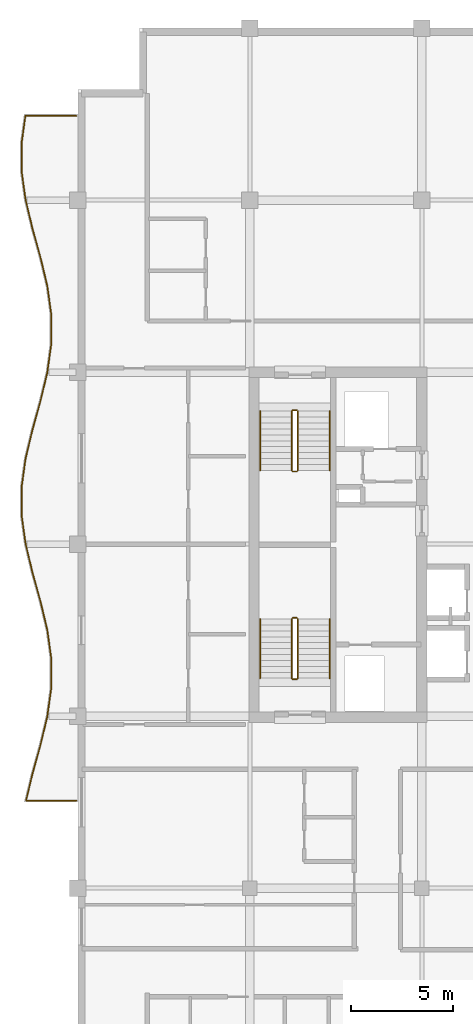
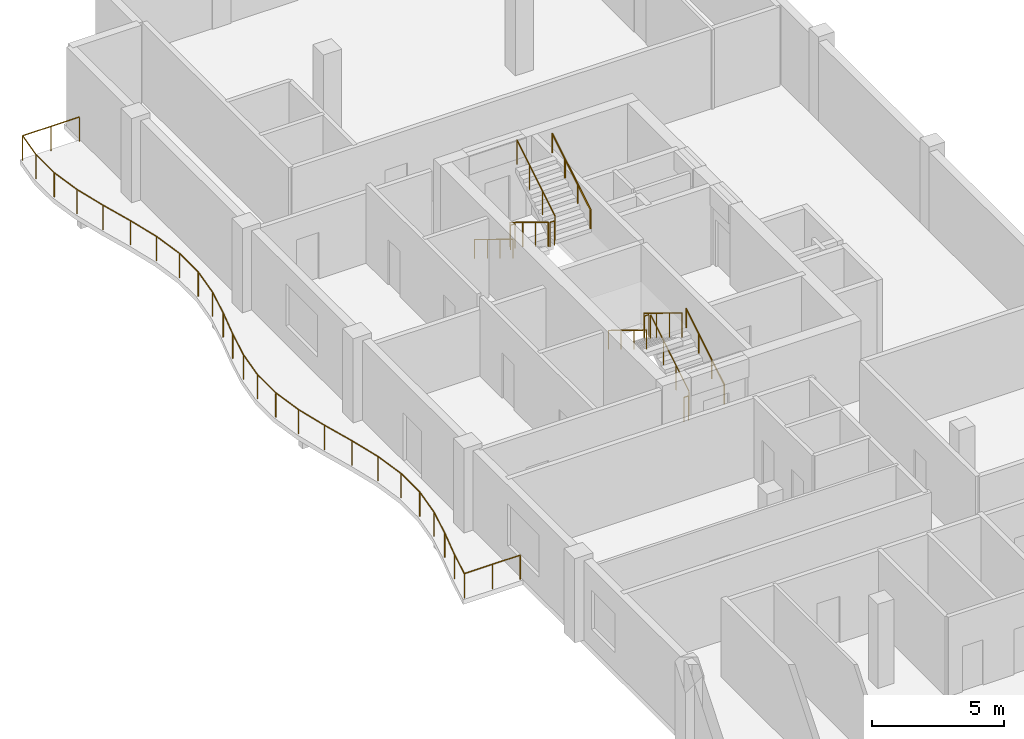
# One storey, part 11 of 11: 13 railings.
"""IFC4 building model written with IfcOpenShell, lengths in metres."""

from ifc_helpers import new_model, si_unit, direction, frame, origin, origin_2d, place, context, subcontext, project, spatial, circle, extrude, material, type_object, element, save


model = new_model("IFC4")

# Units and contexts
model_context = context("Model", 3, precision=1e-05, world=origin(), true_north=direction((0.0, 1.0)))
body_context = subcontext(model_context, "Body", "Model", "MODEL_VIEW")
ifc_project = project(units=[si_unit("LENGTHUNIT", "METRE"), si_unit("AREAUNIT", "SQUARE_METRE"), si_unit("VOLUMEUNIT", "CUBIC_METRE"), si_unit("PLANEANGLEUNIT", "RADIAN"), si_unit("MASSUNIT", "GRAM", prefix="KILO")], contexts=[model_context])

# Site, building, storey
site_placement = place(None, origin())
site = spatial("IfcSite", under=ifc_project, at=site_placement, CompositionType="ELEMENT")
building_placement = place(site_placement, origin())
building = spatial("IfcBuilding", under=site, at=building_placement, Name="Koriwani Terraces Tower", CompositionType="ELEMENT")
storey_placement = place(building_placement, frame((0.0, 0.0, 320.300048828125)))
storey = spatial("IfcBuildingStorey", under=building, at=storey_placement, Name="L79", CompositionType="ELEMENT", Elevation=320.300048828125)

# Railings
ifc_material = material(Name="Steel ASTM A572 Grade 50", Category="steel")
railing_type_1 = type_object("IfcRailingType", Name="GUARD_BALUSTRADE_1150", PredefinedType="BALUSTRADE", material=ifc_material)
railing_1_placement = place(storey_placement, frame((8.320068359375, 37.8798828125, 0.0)))
element("IfcRailing", 1, at=railing_1_placement, inside=storey, type_object=railing_type_1, Name="L79 Balcony Perimeter Safety Balustrade (W)", PredefinedType="BALUSTRADE", context=body_context, shape_type="SweptSolid", body=[
    extrude(circle(Radius=0.02392578125, at=origin_2d()), frame((0.0, 0.0, 1.1259765625), z_axis=(-1.0, 0.0, 0.0), x_axis=(0.0, -1.0, 0.0)), (0.0, 0.0, 1.0), 2.448974609375),
    extrude(circle(Radius=0.02392578125, at=origin_2d()), frame((-2.448974609375, 0.0, 1.1259765625), z_axis=(0.233545604015, 0.9723458494, 0.0), x_axis=(-0.9723458494, 0.233545604015, 0.0)), (0.0, 0.0, 1.0), 1.3369140625),
    extrude(circle(Radius=0.02392578125, at=origin_2d()), frame((-2.13671875, 1.300048828125, 1.1259765625), z_axis=(0.26716718525, 0.963650193341, 0.0), x_axis=(-0.963650193341, 0.26716718525, 0.0)), (0.0, 0.0, 1.0), 1.452880859375),
    extrude(circle(Radius=0.02392578125, at=origin_2d()), frame((-1.74853515625, 2.7001953125, 1.1259765625), z_axis=(0.233340999769, 0.972394970075, 0.0), x_axis=(-0.972394970075, 0.233340999769, 0.0)), (0.0, 0.0, 1.0), 1.44482421875),
    extrude(circle(Radius=0.02392578125, at=origin_2d()), frame((-1.411376953125, 4.105224609375, 1.1259765625), z_axis=(0.137264429555, 0.990534439774, 0.0), x_axis=(-0.990534439774, 0.137264429555, 0.0)), (0.0, 0.0, 1.0), 1.4228515625),
    extrude(circle(Radius=0.02392578125, at=origin_2d()), frame((-1.216064453125, 5.5146484375, 1.1259765625), z_axis=(0.0, 1.0, 0.0), x_axis=(-1.0, 0.0, 0.0)), (0.0, 0.0, 1.0), 1.410888671875),
    extrude(circle(Radius=0.02392578125, at=origin_2d()), frame((-1.216064453125, 6.925537109375, 1.1259765625), z_axis=(-0.137264429555, 0.990534439774, 0.0), x_axis=(-0.990534439774, -0.137264429555, 0.0)), (0.0, 0.0, 1.0), 1.4228515625),
    extrude(circle(Radius=0.02392578125, at=origin_2d()), frame((-1.411376953125, 8.3349609375, 1.1259765625), z_axis=(-0.233302667738, 0.972404167631, 0.0), x_axis=(-0.972404167631, -0.233302667738, 0.0)), (0.0, 0.0, 1.0), 1.445068359375),
    extrude(circle(Radius=0.02392578125, at=origin_2d()), frame((-1.74853515625, 9.740234375, 1.1259765625), z_axis=(-0.267210452187, 0.963638196753, 0.0), x_axis=(-0.963638196753, -0.267210452187, 0.0)), (0.0, 0.0, 1.0), 1.45263671875),
    extrude(circle(Radius=0.02392578125, at=origin_2d()), frame((-2.13671875, 11.14013671875, 1.1259765625), z_axis=(-0.233514568862, 0.972353303141, 0.0), x_axis=(-0.972353303141, -0.233514568862, 0.0)), (0.0, 0.0, 1.0), 1.434326171875),
    extrude(circle(Radius=0.02392578125, at=origin_2d()), frame((-2.4716796875, 12.534912109375, 1.1259765625), z_axis=(-0.137378806302, 0.990518583157, 0.0), x_axis=(-0.990518583157, -0.137378806302, 0.0)), (0.0, 0.0, 1.0), 1.404052734375),
    extrude(circle(Radius=0.02392578125, at=origin_2d()), frame((-2.66455078125, 13.925537109375, 1.1259765625), z_axis=(0.0, 1.0, 0.0), x_axis=(-1.0, 0.0, 0.0)), (0.0, 0.0, 1.0), 1.38916015625),
    extrude(circle(Radius=0.02392578125, at=origin_2d()), frame((-2.66455078125, 15.314697265625, 1.1259765625), z_axis=(0.137378806302, 0.990518583157, 0.0), x_axis=(-0.990518583157, 0.137378806302, 0.0)), (0.0, 0.0, 1.0), 1.404052734375),
    extrude(circle(Radius=0.02392578125, at=origin_2d()), frame((-2.4716796875, 16.705322265625, 1.1259765625), z_axis=(0.233514568862, 0.972353303141, 0.0), x_axis=(-0.972353303141, 0.233514568862, 0.0)), (0.0, 0.0, 1.0), 1.434326171875),
    extrude(circle(Radius=0.02392578125, at=origin_2d()), frame((-2.13671875, 18.10009765625, 1.1259765625), z_axis=(0.267210452187, 0.963638196753, 0.0), x_axis=(-0.963638196753, 0.267210452187, 0.0)), (0.0, 0.0, 1.0), 1.45263671875),
    extrude(circle(Radius=0.02392578125, at=origin_2d()), frame((-1.74853515625, 19.5, 1.1259765625), z_axis=(0.233302667738, 0.972404167631, 0.0), x_axis=(-0.972404167631, 0.233302667738, 0.0)), (0.0, 0.0, 1.0), 1.445068359375),
    extrude(circle(Radius=0.02392578125, at=origin_2d()), frame((-1.411376953125, 20.9052734375, 1.1259765625), z_axis=(0.137264429555, 0.990534439774, 0.0), x_axis=(-0.990534439774, 0.137264429555, 0.0)), (0.0, 0.0, 1.0), 1.4228515625),
    extrude(circle(Radius=0.02392578125, at=origin_2d()), frame((-1.216064453125, 22.314697265625, 1.1259765625), z_axis=(0.0, 1.0, 0.0), x_axis=(-1.0, 0.0, 0.0)), (0.0, 0.0, 1.0), 1.410888671875),
    extrude(circle(Radius=0.02392578125, at=origin_2d()), frame((-1.216064453125, 23.7255859375, 1.1259765625), z_axis=(-0.137264429555, 0.990534439774, 0.0), x_axis=(-0.990534439774, -0.137264429555, 0.0)), (0.0, 0.0, 1.0), 1.4228515625),
    extrude(circle(Radius=0.02392578125, at=origin_2d()), frame((-1.411376953125, 25.135009765625, 1.1259765625), z_axis=(-0.233340999769, 0.972394970075, 0.0), x_axis=(-0.972394970075, -0.233340999769, 0.0)), (0.0, 0.0, 1.0), 1.44482421875),
    extrude(circle(Radius=0.02392578125, at=origin_2d()), frame((-1.74853515625, 26.5400390625, 1.1259765625), z_axis=(-0.26716718525, 0.963650193341, 0.0), x_axis=(-0.963650193341, -0.26716718525, 0.0)), (0.0, 0.0, 1.0), 1.452880859375),
    extrude(circle(Radius=0.02392578125, at=origin_2d()), frame((-2.13671875, 27.940185546875, 1.1259765625), z_axis=(-0.233514568862, 0.972353303141, 0.0), x_axis=(-0.972353303141, -0.233514568862, 0.0)), (0.0, 0.0, 1.0), 1.434326171875),
    extrude(circle(Radius=0.02392578125, at=origin_2d()), frame((-2.4716796875, 29.3349609375, 1.1259765625), z_axis=(-0.137378806302, 0.990518583157, 0.0), x_axis=(-0.990518583157, -0.137378806302, 0.0)), (0.0, 0.0, 1.0), 1.404052734375),
    extrude(circle(Radius=0.02392578125, at=origin_2d()), frame((-2.66455078125, 30.7255859375, 1.1259765625), z_axis=(0.0, 1.0, 0.0), x_axis=(-1.0, 0.0, 0.0)), (0.0, 0.0, 1.0), 1.388916015625),
    extrude(circle(Radius=0.02392578125, at=origin_2d()), frame((-2.66455078125, 32.114501953125, 1.1259765625), z_axis=(0.137359576657, 0.990521249999, 0.0), x_axis=(-0.990521249999, 0.137359576657, 0.0)), (0.0, 0.0, 1.0), 1.33837890625),
    extrude(circle(Radius=0.02392578125, at=origin_2d()), frame((-2.480712890625, 33.440185546875, 1.1259765625), z_axis=(1.0, 0.0, 0.0), x_axis=(0.0, 1.0, 0.0)), (0.0, 0.0, 1.0), 2.480712890625),
    extrude(circle(Radius=0.02099609375, at=origin_2d()), origin(), (0.0, 0.0, 1.0), 1.101806640625),
    extrude(circle(Radius=0.02099609375, at=origin_2d()), frame((-1.224609375, 0.0, 0.0)), (0.0, 0.0, 1.0), 1.101806640625),
    extrude(circle(Radius=0.02099609375, at=origin_2d()), frame((-2.448974609375, 0.0, 0.0)), (0.0, 0.0, 1.0), 1.101806640625),
    extrude(circle(Radius=0.02099609375, at=origin_2d()), frame((-2.13671875, 1.300048828125, 0.0)), (0.0, 0.0, 1.0), 1.101806640625),
    extrude(circle(Radius=0.02099609375, at=origin_2d()), frame((-1.74853515625, 2.7001953125, 0.0)), (0.0, 0.0, 1.0), 1.101806640625),
    extrude(circle(Radius=0.02099609375, at=origin_2d()), frame((-1.411376953125, 4.105224609375, 0.0)), (0.0, 0.0, 1.0), 1.101806640625),
    extrude(circle(Radius=0.02099609375, at=origin_2d()), frame((-1.216064453125, 5.5146484375, 0.0)), (0.0, 0.0, 1.0), 1.101806640625),
    extrude(circle(Radius=0.02099609375, at=origin_2d()), frame((-1.216064453125, 6.925537109375, 0.0)), (0.0, 0.0, 1.0), 1.101806640625),
    extrude(circle(Radius=0.02099609375, at=origin_2d()), frame((-1.411376953125, 8.3349609375, 0.0)), (0.0, 0.0, 1.0), 1.101806640625),
    extrude(circle(Radius=0.02099609375, at=origin_2d()), frame((-1.74853515625, 9.740234375, 0.0)), (0.0, 0.0, 1.0), 1.101806640625),
    extrude(circle(Radius=0.02099609375, at=origin_2d()), frame((-2.13671875, 11.14013671875, 0.0)), (0.0, 0.0, 1.0), 1.101806640625),
    extrude(circle(Radius=0.02099609375, at=origin_2d()), frame((-2.4716796875, 12.534912109375, 0.0)), (0.0, 0.0, 1.0), 1.101806640625),
    extrude(circle(Radius=0.02099609375, at=origin_2d()), frame((-2.66455078125, 13.925537109375, 0.0)), (0.0, 0.0, 1.0), 1.101806640625),
    extrude(circle(Radius=0.02099609375, at=origin_2d()), frame((-2.66455078125, 15.314697265625, 0.0)), (0.0, 0.0, 1.0), 1.101806640625),
    extrude(circle(Radius=0.02099609375, at=origin_2d()), frame((-2.4716796875, 16.705322265625, 0.0)), (0.0, 0.0, 1.0), 1.101806640625),
    extrude(circle(Radius=0.02099609375, at=origin_2d()), frame((-2.13671875, 18.10009765625, 0.0)), (0.0, 0.0, 1.0), 1.101806640625),
    extrude(circle(Radius=0.02099609375, at=origin_2d()), frame((-1.74853515625, 19.5, 0.0)), (0.0, 0.0, 1.0), 1.101806640625),
    extrude(circle(Radius=0.02099609375, at=origin_2d()), frame((-1.411376953125, 20.9052734375, 0.0)), (0.0, 0.0, 1.0), 1.101806640625),
    extrude(circle(Radius=0.02099609375, at=origin_2d()), frame((-1.216064453125, 22.314697265625, 0.0)), (0.0, 0.0, 1.0), 1.101806640625),
    extrude(circle(Radius=0.02099609375, at=origin_2d()), frame((-1.216064453125, 23.7255859375, 0.0)), (0.0, 0.0, 1.0), 1.101806640625),
    extrude(circle(Radius=0.02099609375, at=origin_2d()), frame((-1.411376953125, 25.135009765625, 0.0)), (0.0, 0.0, 1.0), 1.101806640625),
    extrude(circle(Radius=0.02099609375, at=origin_2d()), frame((-1.74853515625, 26.5400390625, 0.0)), (0.0, 0.0, 1.0), 1.101806640625),
    extrude(circle(Radius=0.02099609375, at=origin_2d()), frame((-2.13671875, 27.940185546875, 0.0)), (0.0, 0.0, 1.0), 1.101806640625),
    extrude(circle(Radius=0.02099609375, at=origin_2d()), frame((-2.4716796875, 29.3349609375, 0.0)), (0.0, 0.0, 1.0), 1.101806640625),
    extrude(circle(Radius=0.02099609375, at=origin_2d()), frame((-2.66455078125, 30.7255859375, 0.0)), (0.0, 0.0, 1.0), 1.101806640625),
    extrude(circle(Radius=0.02099609375, at=origin_2d()), frame((-2.66455078125, 32.114501953125, 0.0)), (0.0, 0.0, 1.0), 1.101806640625),
    extrude(circle(Radius=0.02099609375, at=origin_2d()), frame((-2.480712890625, 33.440185546875, 0.0)), (0.0, 0.0, 1.0), 1.101806640625),
    extrude(circle(Radius=0.02099609375, at=origin_2d()), frame((-1.240234375, 33.440185546875, 0.0)), (0.0, 0.0, 1.0), 1.101806640625),
    extrude(circle(Radius=0.02099609375, at=origin_2d()), frame((0.0, 33.440185546875, 0.0)), (0.0, 0.0, 1.0), 1.101806640625),
])
railing_type_2 = type_object("IfcRailingType", Name="GUARD_STAIR_WELL_1120", PredefinedType="GUARDRAIL", material=ifc_material)
railing_2_placement = place(storey_placement, frame((19.14990234375, 43.85009765625, 0.17724609375)))
element("IfcRailing", 2, at=railing_2_placement, inside=storey, type_object=railing_type_2, Name="L79 ST-W1 stair guard 1", PredefinedType="GUARDRAIL", context=body_context, shape_type="SweptSolid", body=[
    extrude(circle(Radius=0.02392578125, at=origin_2d()), frame((0.0, 0.0, 1.1259765625), z_axis=(0.0, 0.853210801645, 0.521566225858), x_axis=(-1.0, 0.0, 0.0)), (0.0, 0.0, 1.0), 3.39892578125),
    extrude(circle(Radius=0.02099609375, at=origin_2d()), origin(), (0.0, 0.0, 1.0), 1.101806640625),
    extrude(circle(Radius=0.02099609375, at=origin_2d()), frame((0.0, 0.966552734375, 0.5908203125)), (0.0, 0.0, 1.0), 1.101806640625),
    extrude(circle(Radius=0.02099609375, at=origin_2d()), frame((0.0, 1.933349609375, 1.181884765625)), (0.0, 0.0, 1.0), 1.101806640625),
    extrude(circle(Radius=0.02099609375, at=origin_2d()), frame((0.0, 2.89990234375, 1.772705078125)), (0.0, 0.0, 1.0), 1.101806640625),
])
railing_3_placement = place(storey_placement, frame((19.10009765625, 46.800048828125, 1.949951171875)))
element("IfcRailing", 3, at=railing_3_placement, inside=storey, type_object=railing_type_2, Name="L79 ST-W1 stair guard 2", PredefinedType="GUARDRAIL", context=body_context, shape_type="SweptSolid", body=[
    extrude(circle(Radius=0.02392578125, at=origin_2d()), frame((0.0, 0.0, 1.1259765625), z_axis=(-1.0, 0.0, 0.0), x_axis=(0.0, -1.0, 0.0)), (0.0, 0.0, 1.0), 0.2001953125),
    extrude(circle(Radius=0.02099609375, at=origin_2d()), origin(), (0.0, 0.0, 1.0), 1.101806640625),
    extrude(circle(Radius=0.02099609375, at=origin_2d()), frame((-0.2001953125, 0.0, 0.0)), (0.0, 0.0, 1.0), 1.101806640625),
])
railing_4_placement = place(storey_placement, frame((18.85009765625, 46.75, 2.127197265625)))
element("IfcRailing", 4, at=railing_4_placement, inside=storey, type_object=railing_type_2, Name="L79 ST-W1 stair guard 3", PredefinedType="GUARDRAIL", context=body_context, shape_type="SweptSolid", body=[
    extrude(circle(Radius=0.02392578125, at=origin_2d()), frame((0.0, 0.0, 1.1259765625), z_axis=(0.0, -0.853210801645, 0.521566225858), x_axis=(1.0, 0.0, 0.0)), (0.0, 0.0, 1.0), 3.39892578125),
    extrude(circle(Radius=0.02099609375, at=origin_2d()), origin(), (0.0, 0.0, 1.0), 1.101806640625),
    extrude(circle(Radius=0.02099609375, at=origin_2d()), frame((0.0, -0.966552734375, 0.5908203125)), (0.0, 0.0, 1.0), 1.101806640625),
    extrude(circle(Radius=0.02099609375, at=origin_2d()), frame((0.0, -1.933349609375, 1.181884765625)), (0.0, 0.0, 1.0), 1.101806640625),
    extrude(circle(Radius=0.02099609375, at=origin_2d()), frame((0.0, -2.89990234375, 1.772705078125)), (0.0, 0.0, 1.0), 1.101806640625),
])
railing_5_placement = place(storey_placement, frame((19.10009765625, 43.800048828125, 0.0)))
element("IfcRailing", 5, at=railing_5_placement, inside=storey, type_object=railing_type_2, Name="L79 ST-W1 stair guard 4", PredefinedType="GUARDRAIL", context=body_context, shape_type="SweptSolid", body=[
    extrude(circle(Radius=0.02392578125, at=origin_2d()), frame((0.0, 0.0, 1.1259765625), z_axis=(-1.0, 0.0, 0.0), x_axis=(0.0, -1.0, 0.0)), (0.0, 0.0, 1.0), 0.2001953125),
    extrude(circle(Radius=0.02099609375, at=origin_2d()), origin(), (0.0, 0.0, 1.0), 1.101806640625),
    extrude(circle(Radius=0.02099609375, at=origin_2d()), frame((-0.2001953125, 0.0, 0.0)), (0.0, 0.0, 1.0), 1.101806640625),
])
railing_6_placement = place(storey_placement, frame((18.85009765625, 56.89990234375, 0.17724609375)))
element("IfcRailing", 6, at=railing_6_placement, inside=storey, type_object=railing_type_2, Name="L79 ST-W2 stair guard 1", PredefinedType="GUARDRAIL", context=body_context, shape_type="SweptSolid", body=[
    extrude(circle(Radius=0.02392578125, at=origin_2d()), frame((0.0, 0.0, 1.1259765625), z_axis=(0.0, -0.853210801645, 0.521566225858), x_axis=(1.0, 0.0, 0.0)), (0.0, 0.0, 1.0), 3.39892578125),
    extrude(circle(Radius=0.02099609375, at=origin_2d()), origin(), (0.0, 0.0, 1.0), 1.101806640625),
    extrude(circle(Radius=0.02099609375, at=origin_2d()), frame((0.0, -0.966552734375, 0.5908203125)), (0.0, 0.0, 1.0), 1.101806640625),
    extrude(circle(Radius=0.02099609375, at=origin_2d()), frame((0.0, -1.933349609375, 1.181884765625)), (0.0, 0.0, 1.0), 1.101806640625),
    extrude(circle(Radius=0.02099609375, at=origin_2d()), frame((0.0, -2.89990234375, 1.772705078125)), (0.0, 0.0, 1.0), 1.101806640625),
])
railing_7_placement = place(storey_placement, frame((18.89990234375, 53.949951171875, 1.949951171875)))
element("IfcRailing", 7, at=railing_7_placement, inside=storey, type_object=railing_type_2, Name="L79 ST-W2 stair guard 2", PredefinedType="GUARDRAIL", context=body_context, shape_type="SweptSolid", body=[
    extrude(circle(Radius=0.02392578125, at=origin_2d()), frame((0.0, 0.0, 1.1259765625), z_axis=(1.0, 0.0, 0.0), x_axis=(0.0, 1.0, 0.0)), (0.0, 0.0, 1.0), 0.2001953125),
    extrude(circle(Radius=0.02099609375, at=origin_2d()), origin(), (0.0, 0.0, 1.0), 1.101806640625),
    extrude(circle(Radius=0.02099609375, at=origin_2d()), frame((0.2001953125, 0.0, 0.0)), (0.0, 0.0, 1.0), 1.101806640625),
])
railing_8_placement = place(storey_placement, frame((19.14990234375, 54.0, 2.127197265625)))
element("IfcRailing", 8, at=railing_8_placement, inside=storey, type_object=railing_type_2, Name="L79 ST-W2 stair guard 3", PredefinedType="GUARDRAIL", context=body_context, shape_type="SweptSolid", body=[
    extrude(circle(Radius=0.02392578125, at=origin_2d()), frame((0.0, 0.0, 1.1259765625), z_axis=(0.0, 0.853210801645, 0.521566225858), x_axis=(-1.0, 0.0, 0.0)), (0.0, 0.0, 1.0), 3.39892578125),
    extrude(circle(Radius=0.02099609375, at=origin_2d()), origin(), (0.0, 0.0, 1.0), 1.101806640625),
    extrude(circle(Radius=0.02099609375, at=origin_2d()), frame((0.0, 0.966552734375, 0.5908203125)), (0.0, 0.0, 1.0), 1.101806640625),
    extrude(circle(Radius=0.02099609375, at=origin_2d()), frame((0.0, 1.933349609375, 1.181884765625)), (0.0, 0.0, 1.0), 1.101806640625),
    extrude(circle(Radius=0.02099609375, at=origin_2d()), frame((0.0, 2.89990234375, 1.772705078125)), (0.0, 0.0, 1.0), 1.101806640625),
])
railing_9_placement = place(storey_placement, frame((18.89990234375, 56.949951171875, 0.0)))
element("IfcRailing", 9, at=railing_9_placement, inside=storey, type_object=railing_type_2, Name="L79 ST-W2 stair guard 4", PredefinedType="GUARDRAIL", context=body_context, shape_type="SweptSolid", body=[
    extrude(circle(Radius=0.02392578125, at=origin_2d()), frame((0.0, 0.0, 1.1259765625), z_axis=(1.0, 0.0, 0.0), x_axis=(0.0, 1.0, 0.0)), (0.0, 0.0, 1.0), 0.2001953125),
    extrude(circle(Radius=0.02099609375, at=origin_2d()), origin(), (0.0, 0.0, 1.0), 1.101806640625),
    extrude(circle(Radius=0.02099609375, at=origin_2d()), frame((0.2001953125, 0.0, 0.0)), (0.0, 0.0, 1.0), 1.101806640625),
])
railing_type_3 = type_object("IfcRailingType", Name="HANDRAIL_STAIR_920", PredefinedType="HANDRAIL", material=ifc_material)
railing_10_placement = place(storey_placement, frame((20.699951171875, 43.85009765625, 0.17724609375)))
element("IfcRailing", 10, at=railing_10_placement, inside=storey, type_object=railing_type_3, Name="L79 ST-W1 stair handrail 1", PredefinedType="HANDRAIL", context=body_context, shape_type="SweptSolid", body=[
    extrude(circle(Radius=0.02392578125, at=origin_2d()), frame((0.0, 0.0, 0.8759765625), z_axis=(0.0, 0.853210801645, 0.521566225858), x_axis=(-1.0, 0.0, 0.0)), (0.0, 0.0, 1.0), 3.39892578125),
    extrude(circle(Radius=0.02099609375, at=origin_2d()), origin(), (0.0, 0.0, 1.0), 0.851806640625),
    extrude(circle(Radius=0.02099609375, at=origin_2d()), frame((0.0, 0.966552734375, 0.5908203125)), (0.0, 0.0, 1.0), 0.851806640625),
    extrude(circle(Radius=0.02099609375, at=origin_2d()), frame((0.0, 1.933349609375, 1.181884765625)), (0.0, 0.0, 1.0), 0.851806640625),
    extrude(circle(Radius=0.02099609375, at=origin_2d()), frame((0.0, 2.89990234375, 1.772705078125)), (0.0, 0.0, 1.0), 0.851806640625),
])
for number, where, name in (
    (11, (17.300048828125, 46.75, 2.127197265625), "L79 ST-W1 stair handrail 2"),
    (12, (17.300048828125, 56.89990234375, 0.17724609375), "L79 ST-W2 stair handrail 1"),
):
    element("IfcRailing", number, at=place(storey_placement, frame(where)), inside=storey, type_object=railing_type_3, Name=name, PredefinedType="HANDRAIL", context=body_context, shape_type="SweptSolid", body=[
        extrude(circle(Radius=0.02392578125, at=origin_2d()), frame((0.0, 0.0, 0.8759765625), z_axis=(0.0, -0.853210801645, 0.521566225858), x_axis=(1.0, 0.0, 0.0)), (0.0, 0.0, 1.0), 3.39892578125),
        extrude(circle(Radius=0.02099609375, at=origin_2d()), origin(), (0.0, 0.0, 1.0), 0.851806640625),
        extrude(circle(Radius=0.02099609375, at=origin_2d()), frame((0.0, -0.966552734375, 0.5908203125)), (0.0, 0.0, 1.0), 0.851806640625),
        extrude(circle(Radius=0.02099609375, at=origin_2d()), frame((0.0, -1.933349609375, 1.181884765625)), (0.0, 0.0, 1.0), 0.851806640625),
        extrude(circle(Radius=0.02099609375, at=origin_2d()), frame((0.0, -2.89990234375, 1.772705078125)), (0.0, 0.0, 1.0), 0.851806640625),
    ])
railing_11_placement = place(storey_placement, frame((20.699951171875, 54.0, 2.127197265625)))
element("IfcRailing", 13, at=railing_11_placement, inside=storey, type_object=railing_type_3, Name="L79 ST-W2 stair handrail 2", PredefinedType="HANDRAIL", context=body_context, shape_type="SweptSolid", body=[
    extrude(circle(Radius=0.02392578125, at=origin_2d()), frame((0.0, 0.0, 0.8759765625), z_axis=(0.0, 0.853210801645, 0.521566225858), x_axis=(-1.0, 0.0, 0.0)), (0.0, 0.0, 1.0), 3.39892578125),
    extrude(circle(Radius=0.02099609375, at=origin_2d()), origin(), (0.0, 0.0, 1.0), 0.851806640625),
    extrude(circle(Radius=0.02099609375, at=origin_2d()), frame((0.0, 0.966552734375, 0.5908203125)), (0.0, 0.0, 1.0), 0.851806640625),
    extrude(circle(Radius=0.02099609375, at=origin_2d()), frame((0.0, 1.933349609375, 1.181884765625)), (0.0, 0.0, 1.0), 0.851806640625),
    extrude(circle(Radius=0.02099609375, at=origin_2d()), frame((0.0, 2.89990234375, 1.772705078125)), (0.0, 0.0, 1.0), 0.851806640625),
])

save(model, "model.ifc")
